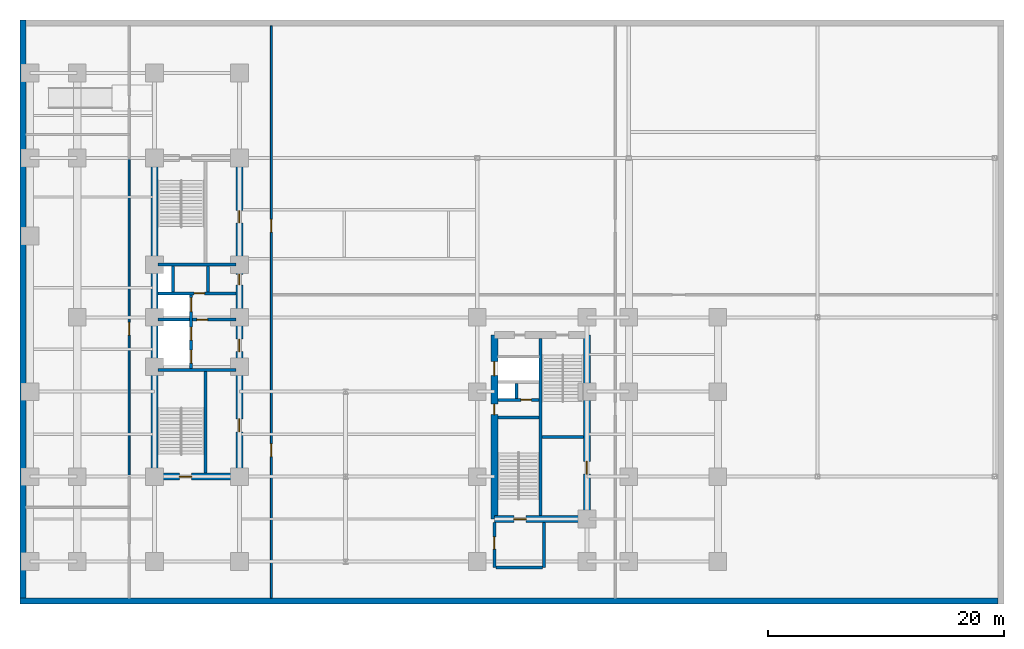
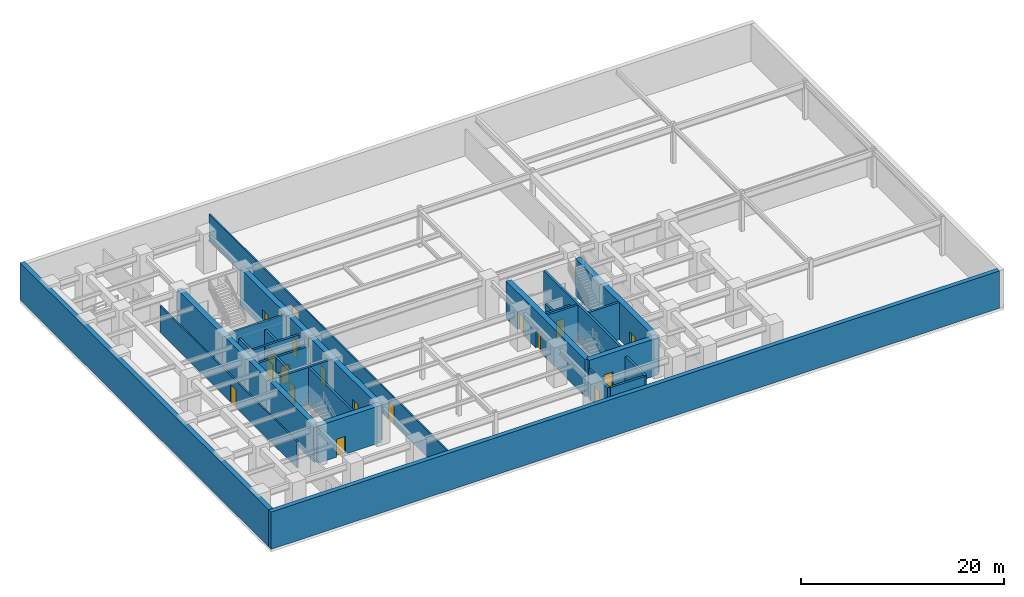
# One storey, part 5 of 9: 27 walls, 19 doors, 19 openings.
"""IFC4 building model written with IfcOpenShell, lengths in metres."""

from ifc_helpers import new_model, entity, si_unit, converted_unit, direction, frame, origin_with_axes, origin_2d_with_axis, place, context, subcontext, project, spatial, polyline, rectangle, outline, extrude, material, layer, layer_set, type_object, element, fill, save


model = new_model("IFC4")

# Units and contexts
model_context = context("Model", 3, precision=1e-05, world=origin_with_axes(), true_north=direction((0.0, 1.0)))
body_context = subcontext(model_context, "Body", "Model", "MODEL_VIEW")
ifc_project = project(units=[si_unit("LENGTHUNIT", "METRE"), si_unit("AREAUNIT", "SQUARE_METRE"), si_unit("VOLUMEUNIT", "CUBIC_METRE"), converted_unit("PLANEANGLEUNIT", "DEGREE", entity("IfcPlaneAngleMeasure", 0.017453292519943295), si_unit("PLANEANGLEUNIT", "RADIAN"), dimensions=[0, 0, 0, 0, 0, 0, 0]), si_unit("MASSUNIT", "GRAM", prefix="KILO"), si_unit("THERMODYNAMICTEMPERATUREUNIT", "KELVIN")], contexts=[model_context])

# Site, building, storey
site_placement = place(None, origin_with_axes())
site = spatial("IfcSite", under=ifc_project, at=site_placement, CompositionType="ELEMENT")
building_placement = place(site_placement, origin_with_axes())
building = spatial("IfcBuilding", under=site, at=building_placement, Name="Varnlund Millrace Tower", CompositionType="ELEMENT")
storey_placement = place(building_placement, frame((0.0, 0.0, -4.8), z_axis=(0.0, 0.0, 1.0), x_axis=(1.0, 0.0, 0.0)))
storey = spatial("IfcBuildingStorey", under=building, at=storey_placement, Name="B1", CompositionType="ELEMENT", Elevation=-4.8)

# Wall
ifc_material_1 = material(Name="Concrete C80/95", Category="concrete")
ifc_layer_1 = layer(ifc_material_1, 0.6, Name="Concrete C80/95")
ifc_layer_set_1 = layer_set([ifc_layer_1], Name="Concrete C80/95")
wall_type_1 = type_object("IfcWallType", Name="Type-CoreWall-Shear-600-C80", PredefinedType="SHEAR", material=ifc_layer_set_1)
wall_1_placement = place(storey_placement, frame((11.4, 10.8, 0.0), z_axis=(0.0, 0.0, 1.0), x_axis=(0.0, 1.0, 0.0)))
element("IfcWall", 1, at=wall_1_placement, inside=storey, type_object=wall_type_1, Name="Type-CoreWall-Shear-600-C80", PredefinedType="SHEAR", context=body_context, shape_type="SweptSolid", body=[
    extrude(outline(polyline([(0.0, -0.3), (27.0, -0.3), (27.0, 0.3), (0.0, 0.3), (0.0, -0.3)])), origin_with_axes(), (0.0, 0.0, 1.0), 4.48),
])

# Wall, opening, door
wall_2_placement = place(storey_placement, frame((11.4, 10.8, 0.0), z_axis=(0.0, 0.0, 1.0), x_axis=(1.0, 0.0, 0.0)))
wall_2 = element("IfcWall", 2, at=wall_2_placement, inside=storey, type_object=wall_type_1, Name="Type-CoreWall-Shear-600-C80", PredefinedType="SHEAR", context=body_context, shape_type="SweptSolid", body=[
    extrude(outline(polyline([(0.0, -0.3), (7.2, -0.3), (7.2, 0.3), (0.0, 0.3), (0.0, -0.3)])), origin_with_axes(), (0.0, 0.0, 1.0), 4.48),
])
opening_1_placement = place(wall_2_placement, frame((2.625, 0.0, 0.0), z_axis=(0.0, 0.0, 1.0), x_axis=(1.0, 0.0, 0.0)))
opening_1 = element("IfcOpeningElement", 3, at=opening_1_placement, cuts=wall_2, Name="Opening B1:DR-STA1", PredefinedType="OPENING", context=body_context, shape_type="SweptSolid", body=[
    extrude(rectangle(XDim=1.05, YDim=0.62, at=origin_2d_with_axis()), origin_with_axes(), (0.0, 0.0, 1.0), 2.15),
])
ifc_material_2 = material(Name="Fire-rated hollow steel door", Category="steel")
door_type_1 = type_object("IfcDoorType", Name="Type-FireDoor-Stair-1050X2150", OperationType="NOTDEFINED", PredefinedType="DOOR", material=ifc_material_2)
door_1_placement = place(wall_2_placement, frame((2.625, 0.0, 0.0), z_axis=(0.0, 0.0, 1.0), x_axis=(1.0, 0.0, 0.0)))
door_1 = element("IfcDoor", 4, at=door_1_placement, inside=storey, type_object=door_type_1, Name="Type-FireDoor-Stair-1050X2150", OperationType="SINGLE_SWING_LEFT", OverallHeight=2.15, OverallWidth=1.05, PredefinedType="DOOR", context=body_context, shape_type="SweptSolid", body=[
    extrude(rectangle(XDim=1.05, YDim=0.09, at=origin_2d_with_axis()), origin_with_axes(), (0.0, 0.0, 1.0), 2.15),
])
fill(opening_1, door_1)

# Wall, openings, doors
wall_3_placement = place(storey_placement, frame((18.6, 10.8, 0.0), z_axis=(0.0, 0.0, 1.0), x_axis=(0.0, 1.0, 0.0)))
wall_3 = element("IfcWall", 5, at=wall_3_placement, inside=storey, type_object=wall_type_1, Name="Type-CoreWall-Shear-600-C80", PredefinedType="SHEAR", context=body_context, shape_type="SweptSolid", body=[
    extrude(outline(polyline([(0.0, -0.3), (13.5, -0.3), (13.5, 0.3), (0.0, 0.3), (0.0, -0.3)])), origin_with_axes(), (0.0, 0.0, 1.0), 4.48),
])
opening_2_placement = place(wall_3_placement, frame((11.125, 0.0, 0.0), z_axis=(0.0, 0.0, 1.0), x_axis=(1.0, 0.0, 0.0)))
opening_2 = element("IfcOpeningElement", 6, at=opening_2_placement, cuts=wall_3, Name="Opening B1:DR-FFLOB-A", PredefinedType="OPENING", context=body_context, shape_type="SweptSolid", body=[
    extrude(rectangle(XDim=1.05, YDim=0.62, at=origin_2d_with_axis()), origin_with_axes(), (0.0, 0.0, 1.0), 2.15),
])
opening_3_placement = place(wall_3_placement, frame((4.35, 0.0, 0.0), z_axis=(0.0, 0.0, 1.0), x_axis=(1.0, 0.0, 0.0)))
opening_3 = element("IfcOpeningElement", 7, at=opening_3_placement, cuts=wall_3, Name="Opening B1:DR-SUB-PIT1", PredefinedType="OPENING", context=body_context, shape_type="SweptSolid", body=[
    extrude(rectangle(XDim=1.1, YDim=0.62, at=origin_2d_with_axis()), origin_with_axes(), (0.0, 0.0, 1.0), 2.15),
])
ifc_material_3 = material(Name="Smoke-barrier hollow steel fire door", Category="steel")
door_type_2 = type_object("IfcDoorType", Name="Type-FireDoor-Lobby-1050X2150", OperationType="NOTDEFINED", PredefinedType="DOOR", material=ifc_material_3)
door_2_placement = place(wall_3_placement, frame((11.125, 0.0, 0.0), z_axis=(0.0, 0.0, 1.0), x_axis=(1.0, 0.0, 0.0)))
door_2 = element("IfcDoor", 8, at=door_2_placement, inside=storey, type_object=door_type_2, Name="Type-FireDoor-Lobby-1050X2150", OperationType="SINGLE_SWING_LEFT", OverallHeight=2.15, OverallWidth=1.05, PredefinedType="DOOR", context=body_context, shape_type="SweptSolid", body=[
    extrude(rectangle(XDim=1.05, YDim=0.09, at=origin_2d_with_axis()), origin_with_axes(), (0.0, 0.0, 1.0), 2.15),
])
fill(opening_2, door_2)
ifc_material_4 = material(Name="Fire-rated mechanical room steel door", Category="steel")
door_type_3 = type_object("IfcDoorType", Name="Type-FireDoor-Plant-1100X2150", OperationType="NOTDEFINED", PredefinedType="DOOR", material=ifc_material_4)
door_3_placement = place(wall_3_placement, frame((4.35, 0.0, 0.0), z_axis=(0.0, 0.0, 1.0), x_axis=(1.0, 0.0, 0.0)))
door_3 = element("IfcDoor", 9, at=door_3_placement, inside=storey, type_object=door_type_3, Name="Type-FireDoor-Plant-1100X2150", OperationType="SINGLE_SWING_LEFT", OverallHeight=2.15, OverallWidth=1.1, PredefinedType="DOOR", context=body_context, shape_type="SweptSolid", body=[
    extrude(rectangle(XDim=1.1, YDim=0.09, at=origin_2d_with_axis()), origin_with_axes(), (0.0, 0.0, 1.0), 2.15),
])
fill(opening_3, door_3)

wall_4_placement = place(storey_placement, frame((18.6, 24.3, 0.0), z_axis=(0.0, 0.0, 1.0), x_axis=(0.0, 1.0, 0.0)))
wall_4 = element("IfcWall", 10, at=wall_4_placement, inside=storey, type_object=wall_type_1, Name="Type-CoreWall-Shear-600-C80", PredefinedType="SHEAR", context=body_context, shape_type="SweptSolid", body=[
    extrude(outline(polyline([(0.0, -0.3), (13.5, -0.3), (13.5, 0.3), (0.0, 0.3), (0.0, -0.3)])), origin_with_axes(), (0.0, 0.0, 1.0), 4.48),
])
opening_4_placement = place(wall_4_placement, frame((3.2, 0.0, 0.0), z_axis=(0.0, 0.0, 1.0), x_axis=(1.0, 0.0, 0.0)))
opening_4 = element("IfcOpeningElement", 11, at=opening_4_placement, cuts=wall_4, Name="Opening B1:DR-ROB", PredefinedType="OPENING", context=body_context, shape_type="SweptSolid", body=[
    extrude(rectangle(XDim=0.9, YDim=0.62, at=origin_2d_with_axis()), origin_with_axes(), (0.0, 0.0, 1.0), 2.15),
])
opening_5_placement = place(wall_4_placement, frame((8.525, 0.0, 0.0), z_axis=(0.0, 0.0, 1.0), x_axis=(1.0, 0.0, 0.0)))
opening_5 = element("IfcOpeningElement", 12, at=opening_5_placement, cuts=wall_4, Name="Opening B1:DR-CA-WC", PredefinedType="OPENING", context=body_context, shape_type="SweptSolid", body=[
    extrude(rectangle(XDim=1.05, YDim=0.62, at=origin_2d_with_axis()), origin_with_axes(), (0.0, 0.0, 1.0), 2.15),
])
ifc_material_5 = material(Name="Fire-rated hollow steel service closet door", Category="steel")
door_type_4 = type_object("IfcDoorType", Name="Type-FireDoor-Closet-900X2150", OperationType="NOTDEFINED", PredefinedType="DOOR", material=ifc_material_5)
door_4_placement = place(wall_4_placement, frame((3.2, 0.0, 0.0), z_axis=(0.0, 0.0, 1.0), x_axis=(1.0, 0.0, 0.0)))
door_4 = element("IfcDoor", 13, at=door_4_placement, inside=storey, type_object=door_type_4, Name="Type-FireDoor-Closet-900X2150", OperationType="SINGLE_SWING_RIGHT", OverallHeight=2.15, OverallWidth=0.9, PredefinedType="DOOR", context=body_context, shape_type="SweptSolid", body=[
    extrude(rectangle(XDim=0.9, YDim=0.09, at=origin_2d_with_axis()), origin_with_axes(), (0.0, 0.0, 1.0), 2.15),
])
fill(opening_4, door_4)
door_5_placement = place(wall_4_placement, frame((8.525, 0.0, 0.0), z_axis=(0.0, 0.0, 1.0), x_axis=(1.0, 0.0, 0.0)))
door_5 = element("IfcDoor", 14, at=door_5_placement, inside=storey, type_object=door_type_2, Name="Type-FireDoor-Lobby-1050X2150", OperationType="SINGLE_SWING_LEFT", OverallHeight=2.15, OverallWidth=1.05, PredefinedType="DOOR", context=body_context, shape_type="SweptSolid", body=[
    extrude(rectangle(XDim=1.05, YDim=0.09, at=origin_2d_with_axis()), origin_with_axes(), (0.0, 0.0, 1.0), 2.15),
])
fill(opening_5, door_5)

wall_5_placement = place(storey_placement, frame((40.2, 7.2, 0.0), z_axis=(0.0, 0.0, 1.0), x_axis=(0.0, 1.0, 0.0)))
wall_5 = element("IfcWall", 15, at=wall_5_placement, inside=storey, type_object=wall_type_1, Name="Type-CoreWall-Shear-600-C80", PredefinedType="SHEAR", context=body_context, shape_type="SweptSolid", body=[
    extrude(outline(polyline([(0.0, -0.3), (15.6, -0.3), (15.6, 0.3), (0.0, 0.3), (0.0, -0.3)])), origin_with_axes(), (0.0, 0.0, 1.0), 4.48),
])
opening_6_placement = place(wall_5_placement, frame((12.75, 0.0, 0.0), z_axis=(0.0, 0.0, 1.0), x_axis=(1.0, 0.0, 0.0)))
opening_6 = element("IfcOpeningElement", 16, at=opening_6_placement, cuts=wall_5, Name="Opening B1:LD-SRV2", PredefinedType="OPENING", context=body_context, shape_type="SweptSolid", body=[
    extrude(rectangle(XDim=1.2, YDim=0.62, at=origin_2d_with_axis()), origin_with_axes(), (0.0, 0.0, 1.0), 2.15),
])
opening_7_placement = place(wall_5_placement, frame((9.3, 0.0, 0.0), z_axis=(0.0, 0.0, 1.0), x_axis=(1.0, 0.0, 0.0)))
opening_7 = element("IfcOpeningElement", 17, at=opening_7_placement, cuts=wall_5, Name="Opening B1:DR-CB-JAN", PredefinedType="OPENING", context=body_context, shape_type="SweptSolid", body=[
    extrude(rectangle(XDim=0.9, YDim=0.62, at=origin_2d_with_axis()), origin_with_axes(), (0.0, 0.0, 1.0), 2.15),
])
door_6_placement = place(wall_5_placement, frame((9.3, 0.0, 0.0), z_axis=(0.0, 0.0, 1.0), x_axis=(1.0, 0.0, 0.0)))
door_6 = element("IfcDoor", 18, at=door_6_placement, inside=storey, type_object=door_type_4, Name="Type-FireDoor-Closet-900X2150", OperationType="SINGLE_SWING_RIGHT", OverallHeight=2.15, OverallWidth=0.9, PredefinedType="DOOR", context=body_context, shape_type="SweptSolid", body=[
    extrude(rectangle(XDim=0.9, YDim=0.09, at=origin_2d_with_axis()), origin_with_axes(), (0.0, 0.0, 1.0), 2.15),
])
fill(opening_7, door_6)
ifc_material_6 = material(Name="Heavy-duty freight sliding landing door")
door_type_5 = type_object("IfcDoorType", Name="Type-LiftLandingDoor-Service-1200X2150", OperationType="NOTDEFINED", PredefinedType="DOOR", material=ifc_material_6)
door_7_placement = place(wall_5_placement, frame((12.75, 0.0, 0.0), z_axis=(0.0, 0.0, 1.0), x_axis=(1.0, 0.0, 0.0)))
door_7 = element("IfcDoor", 19, at=door_7_placement, inside=storey, type_object=door_type_5, Name="Type-LiftLandingDoor-Service-1200X2150", OperationType="DOUBLE_DOOR_SLIDING", OverallHeight=2.15, OverallWidth=1.2, PredefinedType="DOOR", context=body_context, shape_type="SweptSolid", body=[
    extrude(rectangle(XDim=1.2, YDim=0.09, at=origin_2d_with_axis()), origin_with_axes(), (0.0, 0.0, 1.0), 2.15),
])
fill(opening_6, door_7)

# Wall, opening, door
wall_6_placement = place(storey_placement, frame((40.2, 7.2, 0.0), z_axis=(0.0, 0.0, 1.0), x_axis=(1.0, 0.0, 0.0)))
wall_6 = element("IfcWall", 20, at=wall_6_placement, inside=storey, type_object=wall_type_1, Name="Type-CoreWall-Shear-600-C80", PredefinedType="SHEAR", context=body_context, shape_type="SweptSolid", body=[
    extrude(outline(polyline([(0.0, -0.3), (7.85, -0.3), (7.85, 0.3), (0.0, 0.3), (0.0, -0.3)])), origin_with_axes(), (0.0, 0.0, 1.0), 4.48),
])
opening_8_placement = place(wall_6_placement, frame((2.175, 0.0, 0.0), z_axis=(0.0, 0.0, 1.0), x_axis=(1.0, 0.0, 0.0)))
opening_8 = element("IfcOpeningElement", 21, at=opening_8_placement, cuts=wall_6, Name="Opening B1:DR-STB1", PredefinedType="OPENING", context=body_context, shape_type="SweptSolid", body=[
    extrude(rectangle(XDim=1.05, YDim=0.62, at=origin_2d_with_axis()), origin_with_axes(), (0.0, 0.0, 1.0), 2.15),
])
door_8_placement = place(wall_6_placement, frame((2.175, 0.0, 0.0), z_axis=(0.0, 0.0, 1.0), x_axis=(1.0, 0.0, 0.0)))
door_8 = element("IfcDoor", 22, at=door_8_placement, inside=storey, type_object=door_type_1, Name="Type-FireDoor-Stair-1050X2150", OperationType="SINGLE_SWING_LEFT", OverallHeight=2.15, OverallWidth=1.05, PredefinedType="DOOR", context=body_context, shape_type="SweptSolid", body=[
    extrude(rectangle(XDim=1.05, YDim=0.09, at=origin_2d_with_axis()), origin_with_axes(), (0.0, 0.0, 1.0), 2.15),
])
fill(opening_8, door_8)

wall_7_placement = place(storey_placement, frame((48.05, 7.2, 0.0), z_axis=(0.0, 0.0, 1.0), x_axis=(0.0, 1.0, 0.0)))
wall_7 = element("IfcWall", 23, at=wall_7_placement, inside=storey, type_object=wall_type_1, Name="Type-CoreWall-Shear-600-C80", PredefinedType="SHEAR", context=body_context, shape_type="SweptSolid", body=[
    extrude(outline(polyline([(0.0, -0.3), (15.6, -0.3), (15.6, 0.3), (0.0, 0.3), (0.0, -0.3)])), origin_with_axes(), (0.0, 0.0, 1.0), 4.48),
])
opening_9_placement = place(wall_7_placement, frame((4.35, 0.0, 0.0), z_axis=(0.0, 0.0, 1.0), x_axis=(1.0, 0.0, 0.0)))
opening_9 = element("IfcOpeningElement", 24, at=opening_9_placement, cuts=wall_7, Name="Opening B1:DR-CB-PIT", PredefinedType="OPENING", context=body_context, shape_type="SweptSolid", body=[
    extrude(rectangle(XDim=1.1, YDim=0.62, at=origin_2d_with_axis()), origin_with_axes(), (0.0, 0.0, 1.0), 2.15),
])
door_9_placement = place(wall_7_placement, frame((4.35, 0.0, 0.0), z_axis=(0.0, 0.0, 1.0), x_axis=(1.0, 0.0, 0.0)))
door_9 = element("IfcDoor", 25, at=door_9_placement, inside=storey, type_object=door_type_3, Name="Type-FireDoor-Plant-1100X2150", OperationType="SINGLE_SWING_LEFT", OverallHeight=2.15, OverallWidth=1.1, PredefinedType="DOOR", context=body_context, shape_type="SweptSolid", body=[
    extrude(rectangle(XDim=1.1, YDim=0.09, at=origin_2d_with_axis()), origin_with_axes(), (0.0, 0.0, 1.0), 2.15),
])
fill(opening_9, door_9)

ifc_material_7 = material(Name="Fire-rated gypsum board on cold-formed steel framing", Category="steel")
ifc_layer_2 = layer(ifc_material_7, 0.16, Name="Fire-rated gypsum board on cold-formed steel framing")
ifc_layer_set_2 = layer_set([ifc_layer_2], Name="Fire-rated gypsum board on cold-formed steel framing")
wall_type_2 = type_object("IfcWallType", Name="Type-Partition-Corridor-160", PredefinedType="PARTITIONING", material=ifc_layer_set_2)
wall_8_placement = place(storey_placement, frame((9.25, 10.8, 0.0), z_axis=(0.0, 0.0, 1.0), x_axis=(0.0, 1.0, 0.0)))
wall_8 = element("IfcWall", 26, at=wall_8_placement, inside=storey, type_object=wall_type_2, Name="Type-Partition-Corridor-160", PredefinedType="PARTITIONING", context=body_context, shape_type="SweptSolid", body=[
    extrude(outline(polyline([(0.0, -0.08), (27.0, -0.08), (27.0, 0.08), (0.0, 0.08), (0.0, -0.08)])), origin_with_axes(), (0.0, 0.0, 1.0), 3.2),
])
opening_10_placement = place(wall_8_placement, frame((12.55, 0.0, 0.0), z_axis=(0.0, 0.0, 1.0), x_axis=(1.0, 0.0, 0.0)))
opening_10 = element("IfcOpeningElement", 27, at=opening_10_placement, cuts=wall_8, Name="Opening B1:DR-SHW", PredefinedType="OPENING", context=body_context, shape_type="SweptSolid", body=[
    extrude(rectangle(XDim=1.1, YDim=0.18, at=origin_2d_with_axis()), origin_with_axes(), (0.0, 0.0, 1.0), 2.15),
])
door_10_placement = place(wall_8_placement, frame((12.55, 0.0, 0.0), z_axis=(0.0, 0.0, 1.0), x_axis=(1.0, 0.0, 0.0)))
door_10 = element("IfcDoor", 28, at=door_10_placement, inside=storey, type_object=door_type_3, Name="Type-FireDoor-Plant-1100X2150", OperationType="SINGLE_SWING_LEFT", OverallHeight=2.15, OverallWidth=1.1, PredefinedType="DOOR", context=body_context, shape_type="SweptSolid", body=[
    extrude(rectangle(XDim=1.1, YDim=0.09, at=origin_2d_with_axis()), origin_with_axes(), (0.0, 0.0, 1.0), 2.15),
])
fill(opening_10, door_10)

# Wall, openings, doors
wall_9_placement = place(storey_placement, frame((21.3, 0.5, 0.0), z_axis=(0.0, 0.0, 1.0), x_axis=(0.0, 1.0, 0.0)))
wall_9 = element("IfcWall", 29, at=wall_9_placement, inside=storey, type_object=wall_type_2, Name="Type-Partition-Corridor-160", PredefinedType="PARTITIONING", context=body_context, shape_type="SweptSolid", body=[
    extrude(outline(polyline([(0.0, -0.08), (48.5, -0.08), (48.5, 0.08), (0.0, 0.08), (0.0, -0.08)])), origin_with_axes(), (0.0, 0.0, 1.0), 3.2),
])
opening_11_placement = place(wall_9_placement, frame((31.55, 0.0, 0.0), z_axis=(0.0, 0.0, 1.0), x_axis=(1.0, 0.0, 0.0)))
opening_11 = element("IfcOpeningElement", 30, at=opening_11_placement, cuts=wall_9, Name="Opening B1:DR-GEN", PredefinedType="OPENING", context=body_context, shape_type="SweptSolid", body=[
    extrude(rectangle(XDim=1.1, YDim=0.18, at=origin_2d_with_axis()), origin_with_axes(), (0.0, 0.0, 1.0), 2.15),
])
opening_12_placement = place(wall_9_placement, frame((12.55, 0.0, 0.0), z_axis=(0.0, 0.0, 1.0), x_axis=(1.0, 0.0, 0.0)))
opening_12 = element("IfcOpeningElement", 31, at=opening_12_placement, cuts=wall_9, Name="Opening B1:DR-SUB-W1", PredefinedType="OPENING", context=body_context, shape_type="SweptSolid", body=[
    extrude(rectangle(XDim=1.1, YDim=0.18, at=origin_2d_with_axis()), origin_with_axes(), (0.0, 0.0, 1.0), 2.15),
])
door_11_placement = place(wall_9_placement, frame((31.55, 0.0, 0.0), z_axis=(0.0, 0.0, 1.0), x_axis=(1.0, 0.0, 0.0)))
door_11 = element("IfcDoor", 32, at=door_11_placement, inside=storey, type_object=door_type_3, Name="Type-FireDoor-Plant-1100X2150", OperationType="SINGLE_SWING_LEFT", OverallHeight=2.15, OverallWidth=1.1, PredefinedType="DOOR", context=body_context, shape_type="SweptSolid", body=[
    extrude(rectangle(XDim=1.1, YDim=0.09, at=origin_2d_with_axis()), origin_with_axes(), (0.0, 0.0, 1.0), 2.15),
])
fill(opening_11, door_11)
door_12_placement = place(wall_9_placement, frame((12.55, 0.0, 0.0), z_axis=(0.0, 0.0, 1.0), x_axis=(1.0, 0.0, 0.0)))
door_12 = element("IfcDoor", 33, at=door_12_placement, inside=storey, type_object=door_type_3, Name="Type-FireDoor-Plant-1100X2150", OperationType="SINGLE_SWING_RIGHT", OverallHeight=2.15, OverallWidth=1.1, PredefinedType="DOOR", context=body_context, shape_type="SweptSolid", body=[
    extrude(rectangle(XDim=1.1, YDim=0.09, at=origin_2d_with_axis()), origin_with_axes(), (0.0, 0.0, 1.0), 2.15),
])
fill(opening_12, door_12)

ifc_material_8 = material(Name="Concrete C60/75", Category="concrete")
ifc_layer_3 = layer(ifc_material_8, 0.25, Name="Concrete C60/75")
ifc_layer_set_3 = layer_set([ifc_layer_3], Name="Concrete C60/75")
wall_type_3 = type_object("IfcWallType", Name="Type-ShaftWall-Fire-250", PredefinedType="SOLIDWALL", material=ifc_layer_set_3)
wall_10_placement = place(storey_placement, frame((14.5, 19.95, 0.0), z_axis=(0.0, 0.0, 1.0), x_axis=(0.0, 1.0, 0.0)))
wall_10 = element("IfcWall", 34, at=wall_10_placement, inside=storey, type_object=wall_type_3, Name="Type-ShaftWall-Fire-250", PredefinedType="SOLIDWALL", context=body_context, shape_type="SweptSolid", body=[
    extrude(outline(polyline([(0.0, -0.125), (6.25, -0.125), (6.25, 0.125), (0.0, 0.125), (0.0, -0.125)])), origin_with_axes(), (0.0, 0.0, 1.0), 3.52),
])
opening_13_placement = place(wall_10_placement, frame((1.025, 0.0, 0.0), z_axis=(0.0, 0.0, 1.0), x_axis=(1.0, 0.0, 0.0)))
opening_13 = element("IfcOpeningElement", 35, at=opening_13_placement, cuts=wall_10, Name="Opening B1:LD-FSAE1", PredefinedType="OPENING", context=body_context, shape_type="SweptSolid", body=[
    extrude(rectangle(XDim=1.1, YDim=0.27, at=origin_2d_with_axis()), origin_with_axes(), (0.0, 0.0, 1.0), 2.15),
])
opening_14_placement = place(wall_10_placement, frame((2.975, 0.0, 0.0), z_axis=(0.0, 0.0, 1.0), x_axis=(1.0, 0.0, 0.0)))
opening_14 = element("IfcOpeningElement", 36, at=opening_14_placement, cuts=wall_10, Name="Opening B1:LD-FSAE2", PredefinedType="OPENING", context=body_context, shape_type="SweptSolid", body=[
    extrude(rectangle(XDim=1.1, YDim=0.27, at=origin_2d_with_axis()), origin_with_axes(), (0.0, 0.0, 1.0), 2.15),
])
opening_15_placement = place(wall_10_placement, frame((5.425, 0.0, 0.0), z_axis=(0.0, 0.0, 1.0), x_axis=(1.0, 0.0, 0.0)))
opening_15 = element("IfcOpeningElement", 37, at=opening_15_placement, cuts=wall_10, Name="Opening B1:LD-SRV1", PredefinedType="OPENING", context=body_context, shape_type="SweptSolid", body=[
    extrude(rectangle(XDim=1.2, YDim=0.27, at=origin_2d_with_axis()), origin_with_axes(), (0.0, 0.0, 1.0), 2.15),
])
ifc_material_9 = material(Name="Stainless and architectural bronze sliding landing door")
door_type_6 = type_object("IfcDoorType", Name="Type-LiftLandingDoor-1100X2150", OperationType="NOTDEFINED", PredefinedType="DOOR", material=ifc_material_9)
door_13_placement = place(wall_10_placement, frame((1.025, 0.0, 0.0), z_axis=(0.0, 0.0, 1.0), x_axis=(1.0, 0.0, 0.0)))
door_13 = element("IfcDoor", 38, at=door_13_placement, inside=storey, type_object=door_type_6, Name="Type-LiftLandingDoor-1100X2150", OperationType="SLIDING_TO_LEFT", OverallHeight=2.15, OverallWidth=1.1, PredefinedType="DOOR", context=body_context, shape_type="SweptSolid", body=[
    extrude(rectangle(XDim=1.1, YDim=0.09, at=origin_2d_with_axis()), origin_with_axes(), (0.0, 0.0, 1.0), 2.15),
])
fill(opening_13, door_13)
door_14_placement = place(wall_10_placement, frame((2.975, 0.0, 0.0), z_axis=(0.0, 0.0, 1.0), x_axis=(1.0, 0.0, 0.0)))
door_14 = element("IfcDoor", 39, at=door_14_placement, inside=storey, type_object=door_type_6, Name="Type-LiftLandingDoor-1100X2150", OperationType="SLIDING_TO_RIGHT", OverallHeight=2.15, OverallWidth=1.1, PredefinedType="DOOR", context=body_context, shape_type="SweptSolid", body=[
    extrude(rectangle(XDim=1.1, YDim=0.09, at=origin_2d_with_axis()), origin_with_axes(), (0.0, 0.0, 1.0), 2.15),
])
fill(opening_14, door_14)
door_15_placement = place(wall_10_placement, frame((5.425, 0.0, 0.0), z_axis=(0.0, 0.0, 1.0), x_axis=(1.0, 0.0, 0.0)))
door_15 = element("IfcDoor", 40, at=door_15_placement, inside=storey, type_object=door_type_5, Name="Type-LiftLandingDoor-Service-1200X2150", OperationType="DOUBLE_DOOR_SLIDING", OverallHeight=2.15, OverallWidth=1.2, PredefinedType="DOOR", context=body_context, shape_type="SweptSolid", body=[
    extrude(rectangle(XDim=1.2, YDim=0.09, at=origin_2d_with_axis()), origin_with_axes(), (0.0, 0.0, 1.0), 2.15),
])
fill(opening_15, door_15)

# Wall, opening, door
wall_11_placement = place(storey_placement, frame((11.7, 24.1, 0.0), z_axis=(0.0, 0.0, 1.0), x_axis=(1.0, 0.0, 0.0)))
wall_11 = element("IfcWall", 41, at=wall_11_placement, inside=storey, type_object=wall_type_3, Name="Type-ShaftWall-Fire-250", PredefinedType="SOLIDWALL", context=body_context, shape_type="SweptSolid", body=[
    extrude(outline(polyline([(0.0, -0.125), (6.6, -0.125), (6.6, 0.125), (0.0, 0.125), (0.0, -0.125)])), origin_with_axes(), (0.0, 0.0, 1.0), 3.52),
])
opening_16_placement = place(wall_11_placement, frame((3.75, 0.0, 0.0), z_axis=(0.0, 0.0, 1.0), x_axis=(1.0, 0.0, 0.0)))
opening_16 = element("IfcOpeningElement", 42, at=opening_16_placement, cuts=wall_11, Name="Opening B1:DR-CA-SRV1", PredefinedType="OPENING", context=body_context, shape_type="SweptSolid", body=[
    extrude(rectangle(XDim=0.9, YDim=0.27, at=origin_2d_with_axis()), origin_with_axes(), (0.0, 0.0, 1.0), 2.15),
])
door_16_placement = place(wall_11_placement, frame((3.75, 0.0, 0.0), z_axis=(0.0, 0.0, 1.0), x_axis=(1.0, 0.0, 0.0)))
door_16 = element("IfcDoor", 43, at=door_16_placement, inside=storey, type_object=door_type_4, Name="Type-FireDoor-Closet-900X2150", OperationType="SINGLE_SWING_LEFT", OverallHeight=2.15, OverallWidth=0.9, PredefinedType="DOOR", context=body_context, shape_type="SweptSolid", body=[
    extrude(rectangle(XDim=0.9, YDim=0.09, at=origin_2d_with_axis()), origin_with_axes(), (0.0, 0.0, 1.0), 2.15),
])
fill(opening_16, door_16)

wall_12_placement = place(storey_placement, frame((11.7, 26.325, 0.0), z_axis=(0.0, 0.0, 1.0), x_axis=(1.0, 0.0, 0.0)))
wall_12 = element("IfcWall", 44, at=wall_12_placement, inside=storey, type_object=wall_type_3, Name="Type-ShaftWall-Fire-250", PredefinedType="SOLIDWALL", context=body_context, shape_type="SweptSolid", body=[
    extrude(outline(polyline([(0.0, -0.125), (6.6, -0.125), (6.6, 0.125), (0.0, 0.125), (0.0, -0.125)])), origin_with_axes(), (0.0, 0.0, 1.0), 3.52),
])
opening_17_placement = place(wall_12_placement, frame((3.5, 0.0, 0.0), z_axis=(0.0, 0.0, 1.0), x_axis=(1.0, 0.0, 0.0)))
opening_17 = element("IfcOpeningElement", 45, at=opening_17_placement, cuts=wall_12, Name="Opening B1:DR-CA-ELC", PredefinedType="OPENING", context=body_context, shape_type="SweptSolid", body=[
    extrude(rectangle(XDim=0.9, YDim=0.27, at=origin_2d_with_axis()), origin_with_axes(), (0.0, 0.0, 1.0), 2.15),
])
door_17_placement = place(wall_12_placement, frame((3.5, 0.0, 0.0), z_axis=(0.0, 0.0, 1.0), x_axis=(1.0, 0.0, 0.0)))
door_17 = element("IfcDoor", 46, at=door_17_placement, inside=storey, type_object=door_type_4, Name="Type-FireDoor-Closet-900X2150", OperationType="SINGLE_SWING_LEFT", OverallHeight=2.15, OverallWidth=0.9, PredefinedType="DOOR", context=body_context, shape_type="SweptSolid", body=[
    extrude(rectangle(XDim=0.9, YDim=0.09, at=origin_2d_with_axis()), origin_with_axes(), (0.0, 0.0, 1.0), 2.15),
])
fill(opening_17, door_17)

# Walls
for number, where, z_axis, x_axis, name in (
    (47, (12.96, 26.45, 0.0), (0.0, 0.0, 1.0), (0.0, 1.0, 0.0), "Type-ShaftWall-Fire-250"),
    (48, (15.925, 26.45, 0.0), (0.0, 0.0, 1.0), (0.0, 1.0, 0.0), "Type-ShaftWall-Fire-250"),
):
    element("IfcWall", number, at=place(storey_placement, frame(where, z_axis=z_axis, x_axis=x_axis)), inside=storey, type_object=wall_type_3, Name=name, PredefinedType="SOLIDWALL", context=body_context, shape_type="SweptSolid", body=[
        extrude(outline(polyline([(0.0, -0.125), (2.2, -0.125), (2.2, 0.125), (0.0, 0.125), (0.0, -0.125)])), origin_with_axes(), (0.0, 0.0, 1.0), 3.52),
    ])

# Wall, opening, door
wall_13_placement = place(storey_placement, frame((40.5, 17.3, 0.0), z_axis=(0.0, 0.0, 1.0), x_axis=(1.0, 0.0, 0.0)))
wall_13 = element("IfcWall", 49, at=wall_13_placement, inside=storey, type_object=wall_type_3, Name="Type-ShaftWall-Fire-250", PredefinedType="SOLIDWALL", context=body_context, shape_type="SweptSolid", body=[
    extrude(outline(polyline([(0.0, -0.125), (3.5, -0.125), (3.5, 0.125), (0.0, 0.125), (0.0, -0.125)])), origin_with_axes(), (0.0, 0.0, 1.0), 3.52),
])
opening_18_placement = place(wall_13_placement, frame((2.4, 0.0, 0.0), z_axis=(0.0, 0.0, 1.0), x_axis=(1.0, 0.0, 0.0)))
opening_18 = element("IfcOpeningElement", 50, at=opening_18_placement, cuts=wall_13, Name="Opening B1:DR-CB-ELC", PredefinedType="OPENING", context=body_context, shape_type="SweptSolid", body=[
    extrude(rectangle(XDim=0.9, YDim=0.27, at=origin_2d_with_axis()), origin_with_axes(), (0.0, 0.0, 1.0), 2.15),
])
door_18_placement = place(wall_13_placement, frame((2.4, 0.0, 0.0), z_axis=(0.0, 0.0, 1.0), x_axis=(1.0, 0.0, 0.0)))
door_18 = element("IfcDoor", 51, at=door_18_placement, inside=storey, type_object=door_type_4, Name="Type-FireDoor-Closet-900X2150", OperationType="SINGLE_SWING_LEFT", OverallHeight=2.15, OverallWidth=0.9, PredefinedType="DOOR", context=body_context, shape_type="SweptSolid", body=[
    extrude(rectangle(XDim=0.9, YDim=0.09, at=origin_2d_with_axis()), origin_with_axes(), (0.0, 0.0, 1.0), 2.15),
])
fill(opening_18, door_18)

# Wall
wall_14_placement = place(storey_placement, frame((42.075, 17.43, 0.0), z_axis=(0.0, 0.0, 1.0), x_axis=(0.0, 1.0, 0.0)))
element("IfcWall", 52, at=wall_14_placement, inside=storey, type_object=wall_type_3, Name="Type-ShaftWall-Fire-250", PredefinedType="SOLIDWALL", context=body_context, shape_type="SweptSolid", body=[
    extrude(outline(polyline([(0.0, -0.125), (1.24, -0.125), (1.24, 0.125), (0.0, 0.125), (0.0, -0.125)])), origin_with_axes(), (0.0, 0.0, 1.0), 3.52),
])

# Wall, opening, door
wall_15_placement = place(storey_placement, frame((40.2, 3.1, 0.0), z_axis=(0.0, 0.0, 1.0), x_axis=(0.0, 1.0, 0.0)))
wall_15 = element("IfcWall", 53, at=wall_15_placement, inside=storey, type_object=wall_type_3, Name="Type-ShaftWall-Fire-250", PredefinedType="SOLIDWALL", context=body_context, shape_type="SweptSolid", body=[
    extrude(outline(polyline([(0.0, -0.125), (3.8, -0.125), (3.8, 0.125), (0.0, 0.125), (0.0, -0.125)])), origin_with_axes(), (0.0, 0.0, 1.0), 3.52),
])
opening_19_placement = place(wall_15_placement, frame((2.075, 0.0, 0.0), z_axis=(0.0, 0.0, 1.0), x_axis=(1.0, 0.0, 0.0)))
opening_19 = element("IfcOpeningElement", 54, at=opening_19_placement, cuts=wall_15, Name="Opening B1:DR-FFLOB-B", PredefinedType="OPENING", context=body_context, shape_type="SweptSolid", body=[
    extrude(rectangle(XDim=1.05, YDim=0.27, at=origin_2d_with_axis()), origin_with_axes(), (0.0, 0.0, 1.0), 2.15),
])
door_19_placement = place(wall_15_placement, frame((2.075, 0.0, 0.0), z_axis=(0.0, 0.0, 1.0), x_axis=(1.0, 0.0, 0.0)))
door_19 = element("IfcDoor", 55, at=door_19_placement, inside=storey, type_object=door_type_2, Name="Type-FireDoor-Lobby-1050X2150", OperationType="SINGLE_SWING_LEFT", OverallHeight=2.15, OverallWidth=1.05, PredefinedType="DOOR", context=body_context, shape_type="SweptSolid", body=[
    extrude(rectangle(XDim=1.05, YDim=0.09, at=origin_2d_with_axis()), origin_with_axes(), (0.0, 0.0, 1.0), 2.15),
])
fill(opening_19, door_19)

# Walls
wall_16_placement = place(storey_placement, frame((40.325, 3.1, 0.0), z_axis=(0.0, 0.0, 1.0), x_axis=(1.0, 0.0, 0.0)))
element("IfcWall", 56, at=wall_16_placement, inside=storey, type_object=wall_type_3, Name="Type-ShaftWall-Fire-250", PredefinedType="SOLIDWALL", context=body_context, shape_type="SweptSolid", body=[
    extrude(outline(polyline([(0.0, -0.125), (3.95, -0.125), (3.95, 0.125), (0.0, 0.125), (0.0, -0.125)])), origin_with_axes(), (0.0, 0.0, 1.0), 3.52),
])
wall_17_placement = place(storey_placement, frame((44.4, 3.1, 0.0), z_axis=(0.0, 0.0, 1.0), x_axis=(0.0, 1.0, 0.0)))
element("IfcWall", 57, at=wall_17_placement, inside=storey, type_object=wall_type_3, Name="Type-ShaftWall-Fire-250", PredefinedType="SOLIDWALL", context=body_context, shape_type="SweptSolid", body=[
    extrude(outline(polyline([(0.0, -0.125), (3.8, -0.125), (3.8, 0.125), (0.0, 0.125), (0.0, -0.125)])), origin_with_axes(), (0.0, 0.0, 1.0), 3.52),
])
wall_type_4 = type_object("IfcWallType", Name="Type-StairWall-Shear-250", PredefinedType="SHEAR", material=ifc_layer_set_3)
wall_18_placement = place(storey_placement, frame((15.725, 11.1, 0.0), z_axis=(0.0, 0.0, 1.0), x_axis=(0.0, 1.0, 0.0)))
element("IfcWall", 58, at=wall_18_placement, inside=storey, type_object=wall_type_4, Name="Type-StairWall-Shear-250", PredefinedType="SHEAR", context=body_context, shape_type="SweptSolid", body=[
    extrude(outline(polyline([(0.0, -0.125), (8.6, -0.125), (8.6, 0.125), (0.0, 0.125), (0.0, -0.125)])), origin_with_axes(), (0.0, 0.0, 1.0), 4.48),
])
for number, where, z_axis, x_axis, name in (
    (59, (11.7, 19.825, 0.0), (0.0, 0.0, 1.0), (1.0, 0.0, 0.0), "Type-StairWall-Shear-250"),
    (60, (11.7, 28.775, 0.0), (0.0, 0.0, 1.0), (1.0, 0.0, 0.0), "Type-StairWall-Shear-250"),
):
    element("IfcWall", number, at=place(storey_placement, frame(where, z_axis=z_axis, x_axis=x_axis)), inside=storey, type_object=wall_type_4, Name=name, PredefinedType="SHEAR", context=body_context, shape_type="SweptSolid", body=[
        extrude(outline(polyline([(0.0, -0.125), (6.6, -0.125), (6.6, 0.125), (0.0, 0.125), (0.0, -0.125)])), origin_with_axes(), (0.0, 0.0, 1.0), 4.48),
    ])
wall_19_placement = place(storey_placement, frame((44.125, 7.5, 0.0), z_axis=(0.0, 0.0, 1.0), x_axis=(0.0, 1.0, 0.0)))
element("IfcWall", 61, at=wall_19_placement, inside=storey, type_object=wall_type_4, Name="Type-StairWall-Shear-250", PredefinedType="SHEAR", context=body_context, shape_type="SweptSolid", body=[
    extrude(outline(polyline([(0.0, -0.125), (15.0, -0.125), (15.0, 0.125), (0.0, 0.125), (0.0, -0.125)])), origin_with_axes(), (0.0, 0.0, 1.0), 4.48),
])
for number, where, z_axis, x_axis, name in (
    (62, (40.5, 15.825, 0.0), (0.0, 0.0, 1.0), (1.0, 0.0, 0.0), "Type-StairWall-Shear-250"),
    (63, (44.25, 14.175, 0.0), (0.0, 0.0, 1.0), (1.0, 0.0, 0.0), "Type-StairWall-Shear-250"),
):
    element("IfcWall", number, at=place(storey_placement, frame(where, z_axis=z_axis, x_axis=x_axis)), inside=storey, type_object=wall_type_4, Name=name, PredefinedType="SHEAR", context=body_context, shape_type="SweptSolid", body=[
        extrude(outline(polyline([(0.0, -0.125), (3.5, -0.125), (3.5, 0.125), (0.0, 0.125), (0.0, -0.125)])), origin_with_axes(), (0.0, 0.0, 1.0), 4.48),
    ])
ifc_material_10 = material(Name="Concrete C50/60", Category="concrete")
ifc_layer_4 = layer(ifc_material_10, 0.5, Name="Concrete C50/60")
ifc_layer_set_4 = layer_set([ifc_layer_4], Name="Concrete C50/60")
wall_type_5 = type_object("IfcWallType", Name="Type-Subgrade-Wall-500", PredefinedType="USERDEFINED", material=ifc_layer_set_4)
wall_20_placement = place(storey_placement, frame((0.25, 0.5, 0.0), z_axis=(0.0, 0.0, 1.0), x_axis=(0.0, 1.0, 0.0)))
element("IfcWall", 64, at=wall_20_placement, inside=storey, type_object=wall_type_5, Name="Type-Subgrade-Wall-500", ObjectType="RETAININGWALL", PredefinedType="USERDEFINED", context=body_context, shape_type="SweptSolid", body=[
    extrude(outline(polyline([(0.0, -0.25), (49.0, -0.25), (49.0, 0.25), (0.0, 0.25), (0.0, -0.25)])), origin_with_axes(), (0.0, 0.0, 1.0), 4.48),
])
wall_21_placement = place(storey_placement, frame((82.9, 0.25, 0.0), z_axis=(0.0, 0.0, 1.0), x_axis=(-1.0, 0.0, 0.0)))
element("IfcWall", 65, at=wall_21_placement, inside=storey, type_object=wall_type_5, Name="Type-Subgrade-Wall-500", ObjectType="RETAININGWALL", PredefinedType="USERDEFINED", context=body_context, shape_type="SweptSolid", body=[
    extrude(outline(polyline([(0.0, -0.25), (82.9, -0.25), (82.9, 0.25), (0.0, 0.25), (0.0, -0.25)])), origin_with_axes(), (0.0, 0.0, 1.0), 4.48),
])

save(model, "model.ifc")
